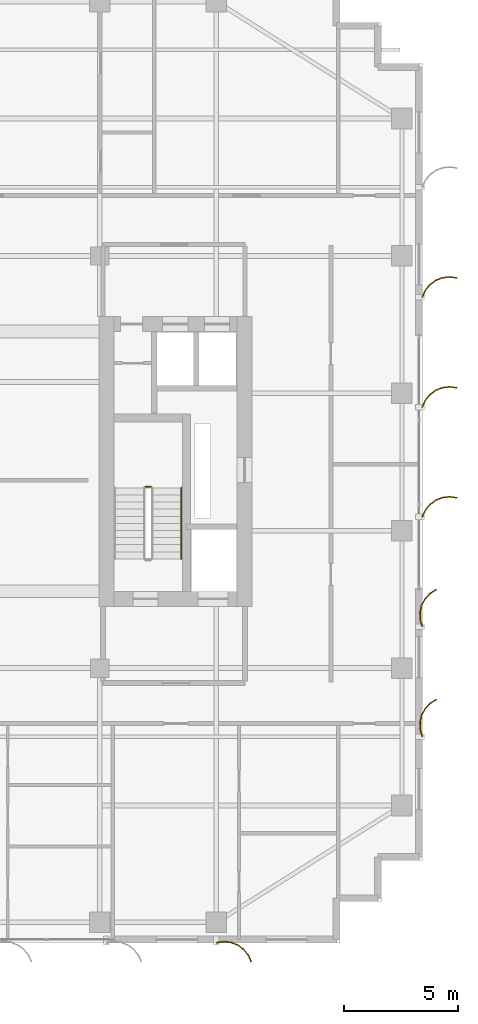
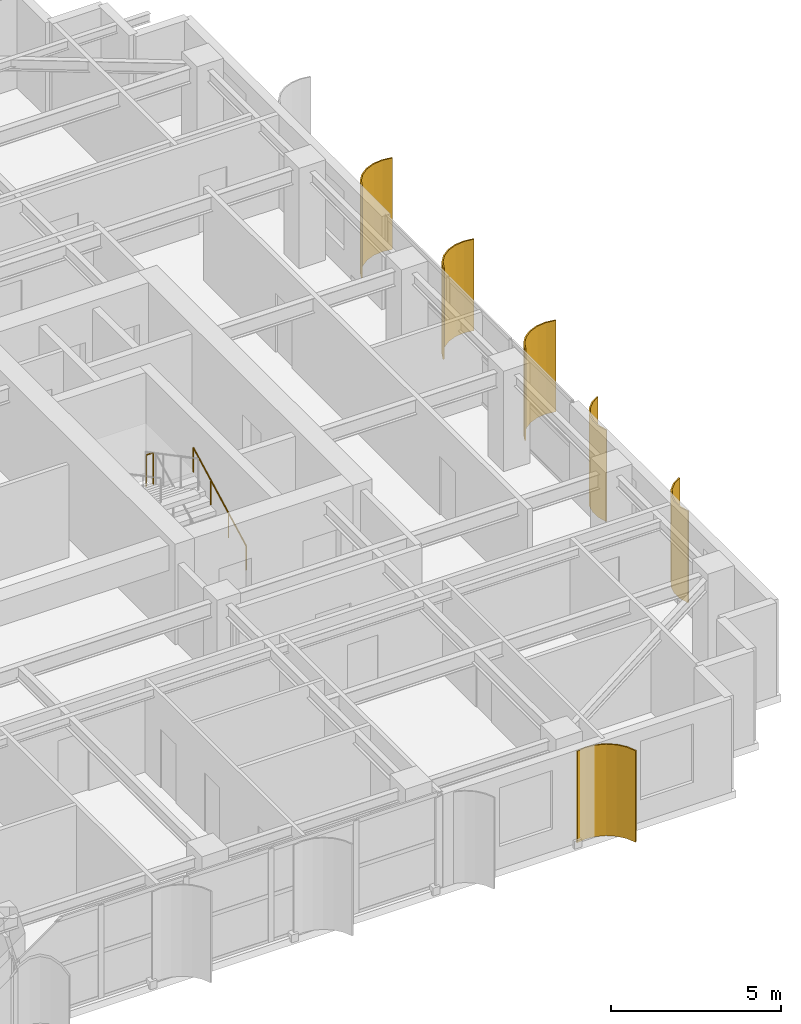
# One storey, part 24 of 25: 6 shading devices, 2 railings.
"""IFC4 building model written with IfcOpenShell, lengths in metres."""

from ifc_helpers import new_model, si_unit, direction, frame, origin, origin_2d, place, context, subcontext, project, spatial, polyline, circle, outline, extrude, source, transform, mapped, material, layer, layer_set, type_object, element, save


model = new_model("IFC4")

# Units and contexts
model_context = context("Model", 3, precision=1e-05, world=origin(), true_north=direction((0.0, 1.0)))
body_context = subcontext(model_context, "Body", "Model", "MODEL_VIEW")
ifc_project = project(units=[si_unit("LENGTHUNIT", "METRE"), si_unit("AREAUNIT", "SQUARE_METRE"), si_unit("VOLUMEUNIT", "CUBIC_METRE"), si_unit("PLANEANGLEUNIT", "RADIAN"), si_unit("MASSUNIT", "GRAM", prefix="KILO")], contexts=[model_context])

# Site, building, storey
site_placement = place(None, origin())
site = spatial("IfcSite", under=ifc_project, at=site_placement, CompositionType="ELEMENT")
building_placement = place(site_placement, origin())
building = spatial("IfcBuilding", under=site, at=building_placement, Name="Khoralis Quay Care Tower", CompositionType="ELEMENT")
storey_placement = place(building_placement, frame((0.0, 0.0, 166.5)))
storey = spatial("IfcBuildingStorey", under=building, at=storey_placement, Name="L43", CompositionType="ELEMENT", Elevation=166.5)

# Railings
ifc_material_1 = material(Name="Brushed stainless steel", Category="steel")
railing_type_1 = type_object("IfcRailingType", Name="RL-GUARD-1150", PredefinedType="GUARDRAIL", material=ifc_material_1)
railing_1_placement = place(storey_placement, frame((33.139892578125, 19.919921875, 1.800048828125)))
element("IfcRailing", 1, at=railing_1_placement, inside=storey, type_object=railing_type_1, Name="L43 ST-T2 stair guard 2", PredefinedType="GUARDRAIL", context=body_context, shape_type="SweptSolid", body=[
    extrude(circle(Radius=0.02392578125, at=origin_2d()), frame((0.0, 0.0, 1.1259765625), z_axis=(-1.0, 0.0, 0.0), x_axis=(0.0, -1.0, 0.0)), (0.0, 0.0, 1.0), 0.239990234375),
    extrude(circle(Radius=0.02099609375, at=origin_2d()), origin(), (0.0, 0.0, 1.0), 1.101806640625),
    extrude(circle(Radius=0.02099609375, at=origin_2d()), frame((-0.239990234375, 0.0, 0.0)), (0.0, 0.0, 1.0), 1.101806640625),
])
railing_type_2 = type_object("IfcRailingType", Name="RL-HAND-900", PredefinedType="HANDRAIL", material=ifc_material_1)
railing_2_placement = place(storey_placement, frame((34.469970703125, 16.77001953125, 0.16357421875)))
element("IfcRailing", 2, at=railing_2_placement, inside=storey, type_object=railing_type_2, Name="L43 ST-T2 stair handrail 1", PredefinedType="HANDRAIL", context=body_context, shape_type="SweptSolid", body=[
    extrude(circle(Radius=0.02392578125, at=origin_2d()), frame((0.0, 0.0, 0.8759765625), z_axis=(0.0, 0.884348015382, 0.466828220752), x_axis=(-1.0, 0.0, 0.0)), (0.0, 0.0, 1.0), 3.505615234375),
    extrude(circle(Radius=0.02099609375, at=origin_2d()), origin(), (0.0, 0.0, 1.0), 0.851806640625),
    extrude(circle(Radius=0.02099609375, at=origin_2d()), frame((0.0, 1.033447265625, 0.54541015625)), (0.0, 0.0, 1.0), 0.851806640625),
    extrude(circle(Radius=0.02099609375, at=origin_2d()), frame((0.0, 2.066650390625, 1.091064453125)), (0.0, 0.0, 1.0), 0.851806640625),
    extrude(circle(Radius=0.02099609375, at=origin_2d()), frame((0.0, 3.10009765625, 1.636474609375)), (0.0, 0.0, 1.0), 0.851806640625),
])

# Shading devices
ifc_material_2 = material(Name="Brushed pale anodised aluminium", Category="aluminium")
ifc_layer = layer(ifc_material_2, 0.044921875)
ifc_layer_set = layer_set([ifc_layer], Name="Brushed pale anodised aluminium")
shading_device_type = type_object("IfcShadingDeviceType", Name="SHD-FIN-1250", PredefinedType="USERDEFINED", material=ifc_layer_set)
shared_shape_1 = source(origin(), body_context, "Body", "SweptSolid", [
    extrude(outline(polyline([(0.0, 0.0), (-0.04833984375, 0.32275390625), (-0.01123046875, 0.64697265625), (0.1083984375, 0.950439453125), (0.302490234375, 1.212890625), (0.557861328125, 1.416015625), (0.85693359375, 1.546142578125), (0.869384765625, 1.5029296875), (0.5810546875, 1.37744140625), (0.334716796875, 1.181640625), (0.147705078125, 0.9287109375), (0.032470703125, 0.635986328125), (-0.003173828125, 0.323486328125), (0.043212890625, 0.012451171875), (0.0, 0.0)])), origin(), (0.0, 0.0, 1.0), 3.280029296875),
])
shading_device_placement = place(storey_placement, frame((36.0, 0.030029296875, 0.02001953125), z_axis=(0.0, 0.0, 1.0), x_axis=(0.0, -1.0, 0.0)))
element("IfcShadingDevice", 3, at=shading_device_placement, inside=storey, type_object=shading_device_type, Name="L43 Curved Solar Fin P1E0-06", ObjectType="FIN", PredefinedType="USERDEFINED", context=body_context, shape_type="MappedRepresentation", body=[
    mapped(shared_shape_1, transform((0.0, 0.0, 0.0), scale=1.0)),
])
shared_shape_2 = source(origin(), body_context, "Body", "SweptSolid", [
    extrude(outline(polyline([(0.0, 0.0), (-0.0927734375, 0.31298828125), (-0.101318359375, 0.63916015625), (-0.025146484375, 0.956298828125), (0.130615234375, 1.2431640625), (0.355224609375, 1.479736328125), (0.633544921875, 1.650390625), (0.65185546875, 1.609130859375), (0.383544921875, 1.44482421875), (0.1669921875, 1.216796875), (0.01708984375, 0.940185546875), (-0.056396484375, 0.63427734375), (-0.04833984375, 0.31982421875), (0.041015625, 0.018310546875), (0.0, 0.0)])), origin(), (0.0, 0.0, 1.0), 3.280029296875),
])
for number, where, z_axis, x_axis, name in (
    (4, (44.969970703125, 9.0, 0.02001953125), (0.0, 0.0, 1.0), (1.0, 0.0, 0.0), "L43 Curved Solar Fin P1E5-01"),
    (5, (44.969970703125, 13.800048828125, 0.02001953125), (0.0, 0.0, 1.0), (1.0, 0.0, 0.0), "L43 Curved Solar Fin P1E5-02"),
):
    element("IfcShadingDevice", number, at=place(storey_placement, frame(where, z_axis=z_axis, x_axis=x_axis)), inside=storey, type_object=shading_device_type, Name=name, ObjectType="FIN", PredefinedType="USERDEFINED", context=body_context, shape_type="MappedRepresentation", body=[
        mapped(shared_shape_2, transform((0.0, 0.0, 0.0), scale=1.0)),
    ])
shared_shape_3 = source(origin(), body_context, "Body", "SweptSolid", [
    extrude(outline(polyline([(0.0, 0.0), (0.130126953125, 0.29931640625), (0.333251953125, 0.5546875), (0.595458984375, 0.748779296875), (0.899169921875, 0.868408203125), (1.223388671875, 0.9052734375), (1.546142578125, 0.85693359375), (1.53369140625, 0.813720703125), (1.22265625, 0.8603515625), (0.91015625, 0.82470703125), (0.617431640625, 0.70947265625), (0.364501953125, 0.522216796875), (0.168701171875, 0.276123046875), (0.043212890625, -0.012451171875), (0.0, 0.0)])), origin(), (0.0, 0.0, 1.0), 3.280029296875),
])
for number, where, z_axis, x_axis, name in (
    (6, (44.969970703125, 18.60009765625, 0.02001953125), (0.0, 0.0, 1.0), (1.0, 0.0, 0.0), "L43 Curved Solar Fin P1E5-03"),
    (7, (44.969970703125, 23.39990234375, 0.02001953125), (0.0, 0.0, 1.0), (1.0, 0.0, 0.0), "L43 Curved Solar Fin P1E5-04"),
    (8, (44.969970703125, 28.199951171875, 0.02001953125), (0.0, 0.0, 1.0), (1.0, 0.0, 0.0), "L43 Curved Solar Fin P1E5-05"),
):
    element("IfcShadingDevice", number, at=place(storey_placement, frame(where, z_axis=z_axis, x_axis=x_axis)), inside=storey, type_object=shading_device_type, Name=name, ObjectType="FIN", PredefinedType="USERDEFINED", context=body_context, shape_type="MappedRepresentation", body=[
        mapped(shared_shape_3, transform((0.0, 0.0, 0.0), scale=1.0)),
    ])

save(model, "model.ifc")
